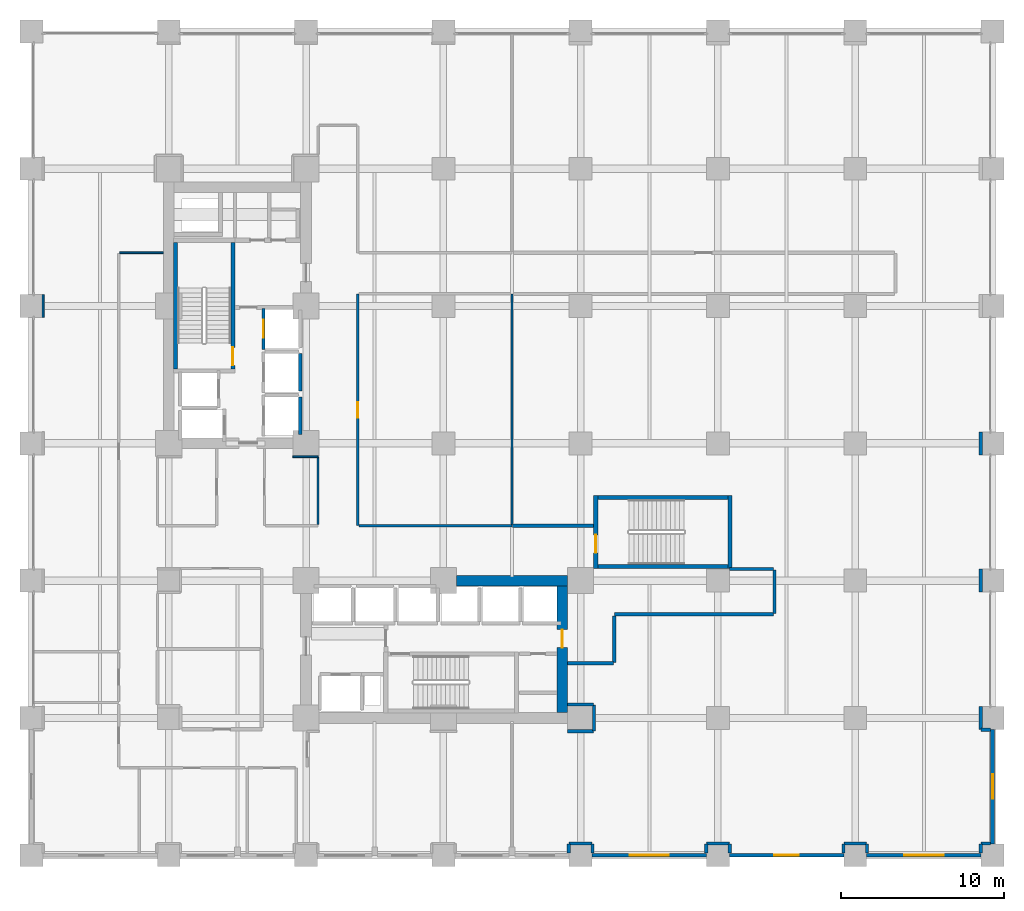
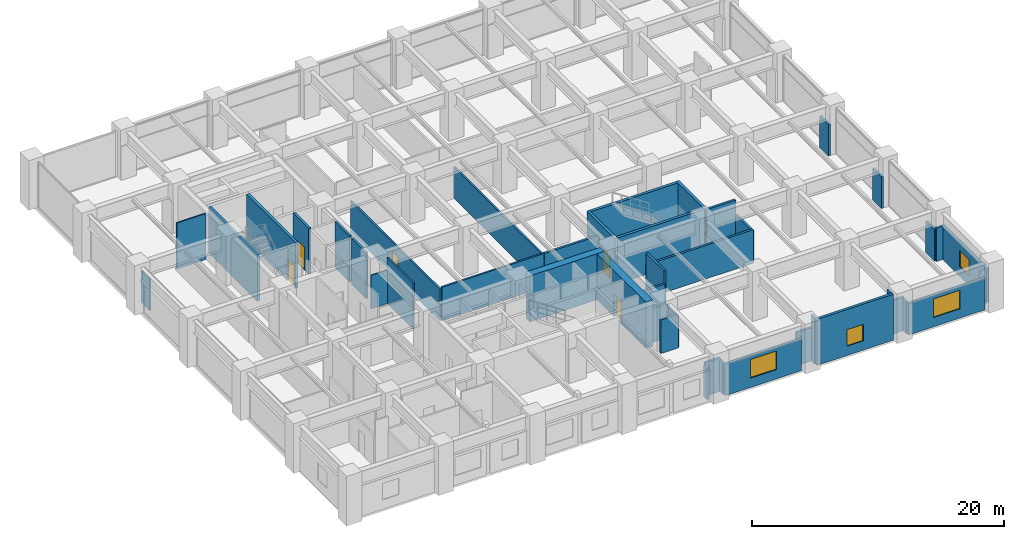
# One storey, part 21 of 24: 46 walls, 5 doors, 4 windows, 9 openings.
"""IFC4 building model written with IfcOpenShell, lengths in metres."""

from ifc_helpers import new_model, si_unit, direction, frame, frame_2d, origin, place, context, subcontext, project, spatial, rectangle, extrude, material, layer, layer_set, type_object, element, fill, save


model = new_model("IFC4")

# Units and contexts
model_context = context("Model", 3, precision=1e-05, world=origin(), true_north=direction((0.0, 1.0)))
body_context = subcontext(model_context, "Body", "Model", "MODEL_VIEW")
ifc_project = project(units=[si_unit("LENGTHUNIT", "METRE"), si_unit("AREAUNIT", "SQUARE_METRE"), si_unit("VOLUMEUNIT", "CUBIC_METRE"), si_unit("PLANEANGLEUNIT", "RADIAN"), si_unit("MASSUNIT", "GRAM", prefix="KILO")], contexts=[model_context])

# Site, building, storey
site_placement = place(None, origin())
site = spatial("IfcSite", under=ifc_project, at=site_placement, CompositionType="ELEMENT")
building_placement = place(site_placement, origin())
building = spatial("IfcBuilding", under=site, at=building_placement, Name="Nerrivon Quay Data Exchange", CompositionType="ELEMENT")
storey_placement = place(building_placement, frame((0.0, 0.0, 15.0)))
storey = spatial("IfcBuildingStorey", under=building, at=storey_placement, Name="L03", CompositionType="ELEMENT", Elevation=15.0)

# Wall, opening, window
ifc_material_1 = material(Name="Architectural terracotta precast concrete N50 (50 MPa)", Category="masonry")
ifc_layer_1 = layer(ifc_material_1, 0.239990234375)
ifc_layer_set_1 = layer_set([ifc_layer_1], Name="Architectural terracotta precast concrete N50 (50 MPa)")
wall_type_1 = type_object("IfcWallType", Name="EW-PREC-240", PredefinedType="STANDARD", material=ifc_layer_set_1)
wall_1_placement = place(storey_placement, frame((58.800048828125, 7.699951171875, 0.0), z_axis=(0.0, 0.0, 1.0), x_axis=(0.0, -1.0, 0.0)))
wall_1 = element("IfcWall", 1, at=wall_1_placement, inside=storey, type_object=wall_type_1, Name="L03 Podium Precast Spandrel Wall 19", PredefinedType="STANDARD", context=body_context, shape_type="SweptSolid", body=[
    extrude(rectangle(XDim=7.0, YDim=0.239990234375, at=frame_2d((3.5, 0.0))), origin(), (0.0, 0.0, 1.0), 3.25),
])
opening_1_placement = place(wall_1_placement, frame((2.75, 0.0, 0.89990234375)))
opening_1 = element("IfcOpeningElement", 2, at=opening_1_placement, cuts=wall_1, Name="Opening WN4", PredefinedType="OPENING", context=body_context, shape_type="SweptSolid", body=[
    extrude(rectangle(XDim=1.5, YDim=1.60009765625, at=frame_2d((0.75, 0.800048828125))), frame((0.0, 0.1298828125, 0.0), z_axis=(0.0, -1.0, 0.0), x_axis=(1.0, 0.0, 0.0)), (0.0, 0.0, 1.0), 0.260009765625),
])
ifc_material_2 = material(Name="Double-glazed low-E solar control glass", Category="glass")
window_type_1 = type_object("IfcWindowType", Name="WIN-W4-1500x1600", PartitioningType="SINGLE_PANEL", PredefinedType="WINDOW", material=ifc_material_2)
window_1_placement = place(opening_1_placement, origin())
window_1 = element("IfcWindow", 3, at=window_1_placement, inside=storey, type_object=window_type_1, Name="L03 Solar Facade Window 19", OverallHeight=1.60009765625, OverallWidth=1.5, PartitioningType="SINGLE_PANEL", PredefinedType="WINDOW", context=body_context, shape_type="SweptSolid", body=[
    extrude(rectangle(XDim=1.5, YDim=1.60009765625, at=frame_2d((0.75, 0.800048828125))), frame((0.0, 0.030029296875, 0.0), z_axis=(0.0, -1.0, 0.0), x_axis=(1.0, 0.0, 0.0)), (0.0, 0.0, 1.0), 0.06005859375),
])
fill(opening_1, window_1)

wall_2_placement = place(storey_placement, frame((58.10009765625, 0.0, 0.0), z_axis=(0.0, 0.0, 1.0), x_axis=(-1.0, 0.0, 0.0)))
wall_2 = element("IfcWall", 4, at=wall_2_placement, inside=storey, type_object=wall_type_1, Name="L03 Podium Precast Spandrel Wall 20", PredefinedType="STANDARD", context=body_context, shape_type="SweptSolid", body=[
    extrude(rectangle(XDim=7.0, YDim=0.239990234375, at=frame_2d((3.5, 0.0))), origin(), (0.0, 0.0, 1.0), 3.050048828125),
])
opening_2_placement = place(wall_2_placement, frame((2.300048828125, 0.0, 0.89990234375)))
opening_2 = element("IfcOpeningElement", 5, at=opening_2_placement, cuts=wall_2, Name="Opening WN1", PredefinedType="OPENING", context=body_context, shape_type="SweptSolid", body=[
    extrude(rectangle(XDim=2.39990234375, YDim=1.800048828125, at=frame_2d((1.199951171875, 0.89990234375))), frame((0.0, 0.1298828125, 0.0), z_axis=(0.0, -1.0, 0.0), x_axis=(1.0, 0.0, 0.0)), (0.0, 0.0, 1.0), 0.260009765625),
])
window_type_2 = type_object("IfcWindowType", Name="WIN-W1-2400x1800", PartitioningType="SINGLE_PANEL", PredefinedType="WINDOW", material=ifc_material_2)
window_2_placement = place(opening_2_placement, origin())
window_2 = element("IfcWindow", 6, at=window_2_placement, inside=storey, type_object=window_type_2, Name="L03 Solar Facade Window 20", OverallHeight=1.800048828125, OverallWidth=2.39990234375, PartitioningType="SINGLE_PANEL", PredefinedType="WINDOW", context=body_context, shape_type="SweptSolid", body=[
    extrude(rectangle(XDim=2.39990234375, YDim=1.800048828125, at=frame_2d((1.199951171875, 0.89990234375))), frame((0.0, 0.030029296875, 0.0), z_axis=(0.0, -1.0, 0.0), x_axis=(1.0, 0.0, 0.0)), (0.0, 0.0, 1.0), 0.06005859375),
])
fill(opening_2, window_2)

wall_3_placement = place(storey_placement, frame((49.699951171875, 0.0, 0.0), z_axis=(0.0, 0.0, 1.0), x_axis=(-1.0, 0.0, 0.0)))
wall_3 = element("IfcWall", 7, at=wall_3_placement, inside=storey, type_object=wall_type_1, Name="L03 Podium Precast Spandrel Wall 21", PredefinedType="STANDARD", context=body_context, shape_type="SweptSolid", body=[
    extrude(rectangle(XDim=7.0, YDim=0.239990234375, at=frame_2d((3.5, 0.0))), origin(), (0.0, 0.0, 1.0), 4.449951171875),
])
opening_3_placement = place(wall_3_placement, frame((2.75, 0.0, 0.89990234375)))
opening_3 = element("IfcOpeningElement", 8, at=opening_3_placement, cuts=wall_3, Name="Opening WN4", PredefinedType="OPENING", context=body_context, shape_type="SweptSolid", body=[
    extrude(rectangle(XDim=1.5, YDim=1.60009765625, at=frame_2d((0.75, 0.800048828125))), frame((0.0, 0.1298828125, 0.0), z_axis=(0.0, -1.0, 0.0), x_axis=(1.0, 0.0, 0.0)), (0.0, 0.0, 1.0), 0.260009765625),
])
window_3_placement = place(opening_3_placement, origin())
window_3 = element("IfcWindow", 9, at=window_3_placement, inside=storey, type_object=window_type_1, Name="L03 Solar Facade Window 21", OverallHeight=1.60009765625, OverallWidth=1.5, PartitioningType="SINGLE_PANEL", PredefinedType="WINDOW", context=body_context, shape_type="SweptSolid", body=[
    extrude(rectangle(XDim=1.5, YDim=1.60009765625, at=frame_2d((0.75, 0.800048828125))), frame((0.0, 0.030029296875, 0.0), z_axis=(0.0, -1.0, 0.0), x_axis=(1.0, 0.0, 0.0)), (0.0, 0.0, 1.0), 0.06005859375),
])
fill(opening_3, window_3)

wall_4_placement = place(storey_placement, frame((41.300048828125, 0.0, 0.0), z_axis=(0.0, 0.0, 1.0), x_axis=(-1.0, 0.0, 0.0)))
wall_4 = element("IfcWall", 10, at=wall_4_placement, inside=storey, type_object=wall_type_1, Name="L03 Podium Precast Spandrel Wall 22", PredefinedType="STANDARD", context=body_context, shape_type="SweptSolid", body=[
    extrude(rectangle(XDim=7.0, YDim=0.239990234375, at=frame_2d((3.5, 0.0))), origin(), (0.0, 0.0, 1.0), 3.050048828125),
])
opening_4_placement = place(wall_4_placement, frame((2.300048828125, 0.0, 0.89990234375)))
opening_4 = element("IfcOpeningElement", 11, at=opening_4_placement, cuts=wall_4, Name="Opening WN1", PredefinedType="OPENING", context=body_context, shape_type="SweptSolid", body=[
    extrude(rectangle(XDim=2.39990234375, YDim=1.800048828125, at=frame_2d((1.199951171875, 0.89990234375))), frame((0.0, 0.1298828125, 0.0), z_axis=(0.0, -1.0, 0.0), x_axis=(1.0, 0.0, 0.0)), (0.0, 0.0, 1.0), 0.260009765625),
])
window_4_placement = place(opening_4_placement, origin())
window_4 = element("IfcWindow", 12, at=window_4_placement, inside=storey, type_object=window_type_2, Name="L03 Solar Facade Window 22", OverallHeight=1.800048828125, OverallWidth=2.39990234375, PartitioningType="SINGLE_PANEL", PredefinedType="WINDOW", context=body_context, shape_type="SweptSolid", body=[
    extrude(rectangle(XDim=2.39990234375, YDim=1.800048828125, at=frame_2d((1.199951171875, 0.89990234375))), frame((0.0, 0.030029296875, 0.0), z_axis=(0.0, -1.0, 0.0), x_axis=(1.0, 0.0, 0.0)), (0.0, 0.0, 1.0), 0.06005859375),
])
fill(opening_4, window_4)

# Wall, opening, door
ifc_material_3 = material(Name="Concrete N80 (80 MPa)", Category="concrete")
ifc_layer_2 = layer(ifc_material_3, 0.64990234375)
ifc_layer_set_2 = layer_set([ifc_layer_2], Name="Concrete N80 (80 MPa)")
wall_type_2 = type_object("IfcWallType", Name="WALL-CW-850", PredefinedType="SHEAR", material=ifc_layer_set_2)
wall_5_placement = place(storey_placement, frame((32.47509765625, 8.72509765625, 0.0), z_axis=(0.0, 0.0, 1.0), x_axis=(0.0, 1.0, 0.0)))
wall_5 = element("IfcWall", 13, at=wall_5_placement, inside=storey, type_object=wall_type_2, Name="L03 East Split-Core Shear Wall ECW-E1", PredefinedType="SHEAR", context=body_context, shape_type="SweptSolid", body=[
    extrude(rectangle(XDim=7.75, YDim=0.64990234375, at=frame_2d((3.875, 0.0))), origin(), (0.0, 0.0, 1.0), 4.449951171875),
])
opening_5_placement = place(wall_5_placement, frame((3.97509765625, 0.0, 0.0)))
opening_5 = element("IfcOpeningElement", 14, at=opening_5_placement, cuts=wall_5, Name="Opening FD-120", PredefinedType="OPENING", context=body_context, shape_type="SweptSolid", body=[
    extrude(rectangle(XDim=1.10009765625, YDim=2.14990234375, at=frame_2d((0.550048828125, 1.074951171875))), frame((0.0, 0.3349609375, 0.0), z_axis=(0.0, -1.0, 0.0), x_axis=(1.0, 0.0, 0.0)), (0.0, 0.0, 1.0), 0.669921875),
])
ifc_material_4 = material(Name="Powder-coated galvanized steel sheet", Category="steel")
door_type_1 = type_object("IfcDoorType", Name="DR-FD120-1100", OperationType="NOTDEFINED", PredefinedType="DOOR", material=ifc_material_4)
door_1_placement = place(opening_5_placement, origin())
door_1 = element("IfcDoor", 15, at=door_1_placement, inside=storey, type_object=door_type_1, Name="L03 East Core Lobby Fire Door", OperationType="SINGLE_SWING_RIGHT", OverallHeight=2.14990234375, OverallWidth=1.10009765625, PredefinedType="DOOR", context=body_context, shape_type="SweptSolid", body=[
    extrude(rectangle(XDim=1.10009765625, YDim=2.14990234375, at=frame_2d((0.550048828125, 1.074951171875))), frame((0.0, 0.02490234375, 0.0), z_axis=(0.0, -1.0, 0.0), x_axis=(1.0, 0.0, 0.0)), (0.0, 0.0, 1.0), 0.050048828125),
])
fill(opening_5, door_1)

# Walls
wall_6_placement = place(storey_placement, frame((26.0, 16.800048828125, 0.0), z_axis=(0.0, 0.0, 1.0), x_axis=(1.0, 0.0, 0.0)))
element("IfcWall", 16, at=wall_6_placement, inside=storey, type_object=wall_type_2, Name="L03 East Split-Core Shear Wall ECW-N1", PredefinedType="SHEAR", context=body_context, shape_type="SweptSolid", body=[
    extrude(rectangle(XDim=6.800048828125, YDim=0.64990234375, at=frame_2d((3.39990234375, 0.0))), origin(), (0.0, 0.0, 1.0), 4.449951171875),
])
ifc_material_5 = material(Name="Gypsum plasterboard on cold-formed framing", Category="gypsum")
ifc_layer_3 = layer(ifc_material_5, 0.199951171875)
ifc_layer_set_3 = layer_set([ifc_layer_3], Name="Gypsum plasterboard on cold-formed framing")
wall_type_3 = type_object("IfcWallType", Name="WALL-FW-200", PredefinedType="PARTITIONING", material=ifc_layer_set_3)
for number, where, z_axis, x_axis, name in (
    (17, (16.449951171875, 25.75, 0.0), (0.0, 0.0, 1.0), (0.0, 1.0, 0.0), "L03 Lift Shaft Wall PL1 EAST"),
    (18, (16.449951171875, 28.39990234375, 0.0), (0.0, 0.0, 1.0), (0.0, 1.0, 0.0), "L03 Lift Shaft Wall PL2 EAST"),
):
    element("IfcWall", number, at=place(storey_placement, frame(where, z_axis=z_axis, x_axis=x_axis)), inside=storey, type_object=wall_type_3, Name=name, PredefinedType="PARTITIONING", context=body_context, shape_type="SweptSolid", body=[
        extrude(rectangle(XDim=2.300048828125, YDim=0.199951171875, at=frame_2d((1.14990234375, 0.0))), origin(), (0.0, 0.0, 1.0), 4.449951171875),
    ])

# Wall, opening, door
wall_7_placement = place(storey_placement, frame((14.199951171875, 30.949951171875, 0.0), z_axis=(0.0, 0.0, 1.0), x_axis=(0.0, 1.0, 0.0)))
wall_7 = element("IfcWall", 19, at=wall_7_placement, inside=storey, type_object=wall_type_3, Name="L03 Lift Front Wall PL3", PredefinedType="PARTITIONING", context=body_context, shape_type="SweptSolid", body=[
    extrude(rectangle(XDim=2.5, YDim=0.199951171875, at=frame_2d((1.25, 0.0))), origin(), (0.0, 0.0, 1.0), 4.449951171875),
])
opening_6_placement = place(wall_7_placement, frame((0.699951171875, 0.0, 0.0)))
opening_6 = element("IfcOpeningElement", 20, at=opening_6_placement, cuts=wall_7, Name="Opening LD-120", PredefinedType="OPENING", context=body_context, shape_type="SweptSolid", body=[
    extrude(rectangle(XDim=1.10009765625, YDim=2.199951171875, at=frame_2d((0.550048828125, 1.10009765625))), frame((0.0, 0.10986328125, 0.0), z_axis=(0.0, -1.0, 0.0), x_axis=(1.0, 0.0, 0.0)), (0.0, 0.0, 1.0), 0.219970703125),
])
door_type_2 = type_object("IfcDoorType", Name="DR-LIFT-LD120", OperationType="DOUBLE_DOOR_SLIDING", PredefinedType="DOOR", material=ifc_material_4)
door_2_placement = place(opening_6_placement, origin())
door_2 = element("IfcDoor", 21, at=door_2_placement, inside=storey, type_object=door_type_2, Name="L03 Lift Landing Sliding Door PL3", OperationType="DOUBLE_DOOR_SLIDING", OverallHeight=2.199951171875, OverallWidth=1.10009765625, PredefinedType="DOOR", context=body_context, shape_type="SweptSolid", body=[
    extrude(rectangle(XDim=1.10009765625, YDim=2.199951171875, at=frame_2d((0.550048828125, 1.10009765625))), frame((0.0, 0.02490234375, 0.0), z_axis=(0.0, -1.0, 0.0), x_axis=(1.0, 0.0, 0.0)), (0.0, 0.0, 1.0), 0.050048828125),
])
fill(opening_6, door_2)

# Walls
wall_8_placement = place(storey_placement, frame((32.8798828125, 0.1240234375, 0.0), z_axis=(0.0, 0.0, 1.0), x_axis=(0.0, 1.0, 0.0)))
element("IfcWall", 22, at=wall_8_placement, inside=storey, type_object=wall_type_3, Name="L03 Partition Colocation Data Workspace 1 10", PredefinedType="PARTITIONING", context=body_context, shape_type="SweptSolid", body=[
    extrude(rectangle(XDim=0.575927734375, YDim=0.199951171875, at=frame_2d((0.2880859375, 0.0))), origin(), (0.0, 0.0, 1.0), 3.050048828125),
])
wall_9_placement = place(storey_placement, frame((32.89990234375, 0.719970703125, 0.0), z_axis=(0.0, 0.0, 1.0), x_axis=(1.0, 0.0, 0.0)))
element("IfcWall", 23, at=wall_9_placement, inside=storey, type_object=wall_type_3, Name="L03 Partition Colocation Data Workspace 1 10", PredefinedType="PARTITIONING", context=body_context, shape_type="SweptSolid", body=[
    extrude(rectangle(XDim=1.400146484375, YDim=0.199951171875, at=frame_2d((0.7001953125, 0.0))), origin(), (0.0, 0.0, 1.0), 3.25),
])
for number, where, z_axis, x_axis, name in (
    (24, (34.320068359375, 0.699951171875, 0.0), (0.0, 0.0, 1.0), (0.0, -1.0, 0.0), "L03 Partition Colocation Data Workspace 1 10"),
    (25, (41.280029296875, 0.1240234375, 0.0), (0.0, 0.0, 1.0), (0.0, 1.0, 0.0), "L03 Partition Colocation Data Workspace 1 10"),
):
    element("IfcWall", number, at=place(storey_placement, frame(where, z_axis=z_axis, x_axis=x_axis)), inside=storey, type_object=wall_type_3, Name=name, PredefinedType="PARTITIONING", context=body_context, shape_type="SweptSolid", body=[
        extrude(rectangle(XDim=0.575927734375, YDim=0.199951171875, at=frame_2d((0.2880859375, 0.0))), origin(), (0.0, 0.0, 1.0), 3.050048828125),
    ])
wall_10_placement = place(storey_placement, frame((41.300048828125, 0.719970703125, 0.0), z_axis=(0.0, 0.0, 1.0), x_axis=(1.0, 0.0, 0.0)))
element("IfcWall", 26, at=wall_10_placement, inside=storey, type_object=wall_type_3, Name="L03 Partition Colocation Data Workspace 1 10", PredefinedType="PARTITIONING", context=body_context, shape_type="SweptSolid", body=[
    extrude(rectangle(XDim=1.39990234375, YDim=0.199951171875, at=frame_2d((0.699951171875, 0.0))), origin(), (0.0, 0.0, 1.0), 3.25),
])
for number, where, z_axis, x_axis, name in (
    (27, (42.719970703125, 0.699951171875, 0.0), (0.0, 0.0, 1.0), (0.0, -1.0, 0.0), "L03 Partition Colocation Data Workspace 1 10"),
    (28, (49.679931640625, 0.1240234375, 0.0), (0.0, 0.0, 1.0), (0.0, 1.0, 0.0), "L03 Partition Colocation Data Workspace 1 10"),
):
    element("IfcWall", number, at=place(storey_placement, frame(where, z_axis=z_axis, x_axis=x_axis)), inside=storey, type_object=wall_type_3, Name=name, PredefinedType="PARTITIONING", context=body_context, shape_type="SweptSolid", body=[
        extrude(rectangle(XDim=0.575927734375, YDim=0.199951171875, at=frame_2d((0.2880859375, 0.0))), origin(), (0.0, 0.0, 1.0), 4.449951171875),
    ])
wall_11_placement = place(storey_placement, frame((49.699951171875, 0.719970703125, 0.0), z_axis=(0.0, 0.0, 1.0), x_axis=(1.0, 0.0, 0.0)))
element("IfcWall", 29, at=wall_11_placement, inside=storey, type_object=wall_type_3, Name="L03 Partition Colocation Data Workspace 1 10", PredefinedType="PARTITIONING", context=body_context, shape_type="SweptSolid", body=[
    extrude(rectangle(XDim=1.400146484375, YDim=0.199951171875, at=frame_2d((0.7001953125, 0.0))), origin(), (0.0, 0.0, 1.0), 3.25),
])
for number, where, z_axis, x_axis, name in (
    (30, (51.1201171875, 0.699951171875, 0.0), (0.0, 0.0, 1.0), (0.0, -1.0, 0.0), "L03 Partition Colocation Data Workspace 1 10"),
    (31, (58.080078125, 0.1240234375, 0.0), (0.0, 0.0, 1.0), (0.0, 1.0, 0.0), "L03 Partition Colocation Data Workspace 1 10"),
):
    element("IfcWall", number, at=place(storey_placement, frame(where, z_axis=z_axis, x_axis=x_axis)), inside=storey, type_object=wall_type_3, Name=name, PredefinedType="PARTITIONING", context=body_context, shape_type="SweptSolid", body=[
        extrude(rectangle(XDim=0.575927734375, YDim=0.199951171875, at=frame_2d((0.2880859375, 0.0))), origin(), (0.0, 0.0, 1.0), 3.050048828125),
    ])
for number, where, z_axis, x_axis, name in (
    (32, (58.10009765625, 0.719970703125, 0.0), (0.0, 0.0, 1.0), (1.0, 0.0, 0.0), "L03 Partition Colocation Data Workspace 1 10"),
    (33, (58.676025390625, 7.679931640625, 0.0), (0.0, 0.0, 1.0), (-1.0, 0.0, 0.0), "L03 Partition Colocation Data Workspace 1 10"),
):
    element("IfcWall", number, at=place(storey_placement, frame(where, z_axis=z_axis, x_axis=x_axis)), inside=storey, type_object=wall_type_3, Name=name, PredefinedType="PARTITIONING", context=body_context, shape_type="SweptSolid", body=[
        extrude(rectangle(XDim=0.575927734375, YDim=0.199951171875, at=frame_2d((0.2880859375, 0.0))), origin(), (0.0, 0.0, 1.0), 3.25),
    ])
wall_12_placement = place(storey_placement, frame((58.080078125, 7.699951171875, 0.0), z_axis=(0.0, 0.0, 1.0), x_axis=(0.0, 1.0, 0.0)))
element("IfcWall", 34, at=wall_12_placement, inside=storey, type_object=wall_type_3, Name="L03 Partition Colocation Data Workspace 1 10", PredefinedType="PARTITIONING", context=body_context, shape_type="SweptSolid", body=[
    extrude(rectangle(XDim=1.400146484375, YDim=0.199951171875, at=frame_2d((0.7001953125, 0.0))), origin(), (0.0, 0.0, 1.0), 3.050048828125),
])
for number, where, z_axis, x_axis, name in (
    (35, (58.080078125, 16.10009765625, 0.0), (0.0, 0.0, 1.0), (0.0, 1.0, 0.0), "L03 Partition Colocation Data Workspace 1 10"),
    (36, (58.080078125, 24.5, 0.0), (0.0, 0.0, 1.0), (0.0, 1.0, 0.0), "L03 Partition Colocation Data Workspace 1 10"),
):
    element("IfcWall", number, at=place(storey_placement, frame(where, z_axis=z_axis, x_axis=x_axis)), inside=storey, type_object=wall_type_3, Name=name, PredefinedType="PARTITIONING", context=body_context, shape_type="SweptSolid", body=[
        extrude(rectangle(XDim=1.39990234375, YDim=0.199951171875, at=frame_2d((0.699951171875, 0.0))), origin(), (0.0, 0.0, 1.0), 3.050048828125),
    ])
wall_13_placement = place(storey_placement, frame((29.419921875, 20.159912109375, 0.0), z_axis=(0.0, 0.0, 1.0), x_axis=(1.0, 0.0, 0.0)))
element("IfcWall", 37, at=wall_13_placement, inside=storey, type_object=wall_type_3, Name="L03 Partition Colocation Data Workspace 1 10", PredefinedType="PARTITIONING", context=body_context, shape_type="SweptSolid", body=[
    extrude(rectangle(XDim=4.97607421875, YDim=0.199951171875, at=frame_2d((2.488037109375, 0.0))), origin(), (0.0, 0.0, 1.0), 3.25),
])
wall_14_placement = place(storey_placement, frame((42.71728515625, 17.510009765625, 0.0), z_axis=(0.0, 0.0, 1.0), x_axis=(1.0, 0.0, 0.0)))
element("IfcWall", 38, at=wall_14_placement, inside=storey, type_object=wall_type_3, Name="L03 Partition Colocation Data Workspace 1 10", PredefinedType="PARTITIONING", context=body_context, shape_type="SweptSolid", body=[
    extrude(rectangle(XDim=2.6826171875, YDim=0.199951171875, at=frame_2d((1.34130859375, 0.0))), origin(), (0.0, 0.0, 1.0), 4.449951171875),
])
wall_15_placement = place(storey_placement, frame((45.4599609375, 17.449951171875, 0.0), z_axis=(0.0, 0.0, 1.0), x_axis=(0.0, -1.0, 0.0)))
element("IfcWall", 39, at=wall_15_placement, inside=storey, type_object=wall_type_3, Name="L03 Partition Colocation Data Workspace 1 10", PredefinedType="PARTITIONING", context=body_context, shape_type="SweptSolid", body=[
    extrude(rectangle(XDim=2.64990234375, YDim=0.199951171875, at=frame_2d((1.324951171875, 0.0))), origin(), (0.0, 0.0, 1.0), 3.050048828125),
])
wall_16_placement = place(storey_placement, frame((45.39990234375, 14.739990234375, 0.0), z_axis=(0.0, 0.0, 1.0), x_axis=(-1.0, 0.0, 0.0)))
element("IfcWall", 40, at=wall_16_placement, inside=storey, type_object=wall_type_3, Name="L03 Partition Colocation Data Workspace 1 10", PredefinedType="PARTITIONING", context=body_context, shape_type="SweptSolid", body=[
    extrude(rectangle(XDim=9.739990234375, YDim=0.199951171875, at=frame_2d((4.8701171875, 0.0))), origin(), (0.0, 0.0, 1.0), 3.25),
])
wall_17_placement = place(storey_placement, frame((35.659912109375, 14.635986328125, 0.0), z_axis=(0.0, 0.0, 1.0), x_axis=(0.0, -1.0, 0.0)))
element("IfcWall", 41, at=wall_17_placement, inside=storey, type_object=wall_type_3, Name="L03 Partition Colocation Data Workspace 1 10", PredefinedType="PARTITIONING", context=body_context, shape_type="SweptSolid", body=[
    extrude(rectangle(XDim=2.8359375, YDim=0.199951171875, at=frame_2d((1.41796875, 0.0))), origin(), (0.0, 0.0, 1.0), 4.449951171875),
])
wall_18_placement = place(storey_placement, frame((35.60009765625, 11.739990234375, 0.0), z_axis=(0.0, 0.0, 1.0), x_axis=(-1.0, 0.0, 0.0)))
element("IfcWall", 42, at=wall_18_placement, inside=storey, type_object=wall_type_3, Name="L03 Partition Colocation Data Workspace 1 10", PredefinedType="PARTITIONING", context=body_context, shape_type="SweptSolid", body=[
    extrude(rectangle(XDim=2.796142578125, YDim=0.199951171875, at=frame_2d((1.39794921875, 0.0))), origin(), (0.0, 0.0, 1.0), 3.25),
])
wall_19_placement = place(storey_placement, frame((32.803955078125, 9.219970703125, 0.0), z_axis=(0.0, 0.0, 1.0), x_axis=(1.0, 0.0, 0.0)))
element("IfcWall", 43, at=wall_19_placement, inside=storey, type_object=wall_type_3, Name="L03 Partition Colocation Data Workspace 1 10", PredefinedType="PARTITIONING", context=body_context, shape_type="SweptSolid", body=[
    extrude(rectangle(XDim=1.595947265625, YDim=0.199951171875, at=frame_2d((0.7978515625, 0.0))), origin(), (0.0, 0.0, 1.0), 3.25),
])
wall_20_placement = place(storey_placement, frame((34.419921875, 9.199951171875, 0.0), z_axis=(0.0, 0.0, 1.0), x_axis=(0.0, -1.0, 0.0)))
element("IfcWall", 44, at=wall_20_placement, inside=storey, type_object=wall_type_3, Name="L03 Partition Colocation Data Workspace 1 10", PredefinedType="PARTITIONING", context=body_context, shape_type="SweptSolid", body=[
    extrude(rectangle(XDim=1.599853515625, YDim=0.199951171875, at=frame_2d((0.7998046875, 0.0))), origin(), (0.0, 0.0, 1.0), 3.050048828125),
])
wall_21_placement = place(storey_placement, frame((34.39990234375, 7.580078125, 0.0), z_axis=(0.0, 0.0, 1.0), x_axis=(-0.99999989597, 0.000456134969, 0.0)))
element("IfcWall", 45, at=wall_21_placement, inside=storey, type_object=wall_type_3, Name="L03 Partition Colocation Data Workspace 1 10", PredefinedType="PARTITIONING", context=body_context, shape_type="SweptSolid", body=[
    extrude(rectangle(XDim=1.605712890625, YDim=0.199951171875, at=frame_2d((0.802734375, 0.0))), origin(), (0.0, 0.0, 1.0), 3.25),
])
ifc_layer_4 = layer(ifc_material_5, 0.1201171875)
ifc_layer_set_4 = layer_set([ifc_layer_4], Name="Gypsum plasterboard on cold-formed framing")
wall_type_4 = type_object("IfcWallType", Name="WALL-PT-120", PredefinedType="PARTITIONING", material=ifc_layer_set_4)
wall_22_placement = place(storey_placement, frame((17.5400390625, 24.3798828125, 0.0), z_axis=(0.0, 0.0, 1.0), x_axis=(-0.99999980047, 0.000631711813, 0.0)))
element("IfcWall", 46, at=wall_22_placement, inside=storey, type_object=wall_type_4, Name="L03 Partition Shared Breakout Kitchenette", PredefinedType="PARTITIONING", context=body_context, shape_type="SweptSolid", body=[
    extrude(rectangle(XDim=1.5458984375, YDim=0.1201171875, at=frame_2d((0.77294921875, 0.0))), origin(), (0.0, 0.0, 1.0), 3.25),
])
wall_23_placement = place(storey_placement, frame((0.719970703125, 34.300048828125, 0.0), z_axis=(0.0, 0.0, 1.0), x_axis=(0.0, -1.0, 0.0)))
element("IfcWall", 47, at=wall_23_placement, inside=storey, type_object=wall_type_4, Name="L03 Partition Network Operations Office 1 9", PredefinedType="PARTITIONING", context=body_context, shape_type="SweptSolid", body=[
    extrude(rectangle(XDim=1.400146484375, YDim=0.1201171875, at=frame_2d((0.7001953125, 0.0))), origin(), (0.0, 0.0, 1.0), 3.050048828125),
])
wall_24_placement = place(storey_placement, frame((5.39990234375, 36.860107421875, 0.0), z_axis=(0.0, 0.0, 1.0), x_axis=(1.0, 0.0, 0.0)))
element("IfcWall", 48, at=wall_24_placement, inside=storey, type_object=wall_type_4, Name="L03 Partition Network Operations Office 1 9", PredefinedType="PARTITIONING", context=body_context, shape_type="SweptSolid", body=[
    extrude(rectangle(XDim=2.671142578125, YDim=0.1201171875, at=frame_2d((1.33544921875, 0.0))), origin(), (0.0, 0.0, 1.0), 4.449951171875),
])
ifc_layer_5 = layer(ifc_material_5, 0.135009765625)
ifc_layer_set_5 = layer_set([ifc_layer_5], Name="Gypsum plasterboard on cold-formed framing")
wall_type_5 = type_object("IfcWallType", Name="WALL-PT-135", PredefinedType="PARTITIONING", material=ifc_layer_set_5)
wall_25_placement = place(storey_placement, frame((17.5400390625, 20.2314453125, 0.0), z_axis=(0.0, 0.0, 1.0), x_axis=(0.0, 1.0, 0.0)))
element("IfcWall", 49, at=wall_25_placement, inside=storey, type_object=wall_type_5, Name="L03 Partition Shared Breakout Kitchenette", PredefinedType="PARTITIONING", context=body_context, shape_type="SweptSolid", body=[
    extrude(rectangle(XDim=4.1484375, YDim=0.135009765625, at=frame_2d((2.07421875, 0.0))), origin(), (0.0, 0.0, 1.0), 4.449951171875),
])

# Wall, opening, door
ifc_layer_6 = layer(ifc_material_5, 0.14990234375)
ifc_layer_set_6 = layer_set([ifc_layer_6], Name="Gypsum plasterboard on cold-formed framing")
wall_type_6 = type_object("IfcWallType", Name="WALL-PT-150", PredefinedType="PARTITIONING", material=ifc_layer_set_6)
wall_26_placement = place(storey_placement, frame((19.9599609375, 34.340087890625, 0.0), z_axis=(0.0, 0.0, 1.0), x_axis=(0.0, -1.0, 0.0)))
wall_26 = element("IfcWall", 50, at=wall_26_placement, inside=storey, type_object=wall_type_6, Name="L03 Partition Shared Breakout Kitchenette 8", PredefinedType="PARTITIONING", context=body_context, shape_type="SweptSolid", body=[
    extrude(rectangle(XDim=14.18017578125, YDim=0.14990234375, at=frame_2d((7.090087890625, 0.0))), origin(), (0.0, 0.0, 1.0), 3.050048828125),
])
opening_7_placement = place(wall_26_placement, frame((6.614990234375, 0.0, 0.0)))
opening_7 = element("IfcOpeningElement", 51, at=opening_7_placement, cuts=wall_26, Name="Opening D-01", PredefinedType="OPENING", context=body_context, shape_type="SweptSolid", body=[
    extrude(rectangle(XDim=0.949951171875, YDim=2.14990234375, at=frame_2d((0.47509765625, 1.074951171875))), frame((0.0, 0.0849609375, 0.0), z_axis=(0.0, -1.0, 0.0), x_axis=(1.0, 0.0, 0.0)), (0.0, 0.0, 1.0), 0.169921875),
])
ifc_material_6 = material(Name="Engineered hardwood timber", Category="wood")
door_type_3 = type_object("IfcDoorType", Name="DR-INT-950", OperationType="NOTDEFINED", PredefinedType="DOOR", material=ifc_material_6)
door_3_placement = place(opening_7_placement, origin())
door_3 = element("IfcDoor", 52, at=door_3_placement, inside=storey, type_object=door_type_3, Name="L03 Door Shared Breakout Kitchenette 8", OperationType="SINGLE_SWING_LEFT", OverallHeight=2.14990234375, OverallWidth=0.949951171875, PredefinedType="DOOR", context=body_context, shape_type="SweptSolid", body=[
    extrude(rectangle(XDim=0.949951171875, YDim=2.14990234375, at=frame_2d((0.47509765625, 1.074951171875))), frame((0.0, 0.02490234375, 0.0), z_axis=(0.0, -1.0, 0.0), x_axis=(1.0, 0.0, 0.0)), (0.0, 0.0, 1.0), 0.050048828125),
])
fill(opening_7, door_3)

# Walls
wall_27_placement = place(storey_placement, frame((20.0390625, 20.159912109375, 0.0), z_axis=(0.0, 0.0, 1.0), x_axis=(1.0, 0.0, 0.0)))
element("IfcWall", 53, at=wall_27_placement, inside=storey, type_object=wall_type_6, Name="L03 Partition Shared Breakout Kitchenette 8", PredefinedType="PARTITIONING", context=body_context, shape_type="SweptSolid", body=[
    extrude(rectangle(XDim=9.36083984375, YDim=0.14990234375, at=frame_2d((4.680419921875, 0.0))), origin(), (0.0, 0.0, 1.0), 3.25),
])
wall_28_placement = place(storey_placement, frame((29.39990234375, 20.239013671875, 0.0), z_axis=(0.0, 0.0, 1.0), x_axis=(0.0, 1.0, 0.0)))
element("IfcWall", 54, at=wall_28_placement, inside=storey, type_object=wall_type_6, Name="L03 Partition Shared Breakout Kitchenette 8", PredefinedType="PARTITIONING", context=body_context, shape_type="SweptSolid", body=[
    extrude(rectangle(XDim=14.10107421875, YDim=0.14990234375, at=frame_2d((7.050537109375, 0.0))), origin(), (0.0, 0.0, 1.0), 3.050048828125),
])

# Wall, opening, door
ifc_material_7 = material(Name="Concrete N50 (50 MPa)", Category="concrete")
ifc_layer_7 = layer(ifc_material_7, 0.25)
ifc_layer_set_7 = layer_set([ifc_layer_7], Name="Concrete N50 (50 MPa)")
wall_type_7 = type_object("IfcWallType", Name="WALL-SW-250", PredefinedType="SHEAR", material=ifc_layer_set_7)
wall_29_placement = place(storey_placement, frame((12.324951171875, 29.75, 0.0), z_axis=(0.0, 0.0, 1.0), x_axis=(0.0, 1.0, 0.0)))
wall_29 = element("IfcWall", 55, at=wall_29_placement, inside=storey, type_object=wall_type_7, Name="L03 ST01 Structural Stair Core Wall LEFT", PredefinedType="SHEAR", context=body_context, shape_type="SweptSolid", body=[
    extrude(rectangle(XDim=7.75, YDim=0.25, at=frame_2d((3.875, 0.0))), origin(), (0.0, 0.0, 1.0), 4.449951171875),
])
opening_8_placement = place(wall_29_placement, frame((0.219970703125, 0.0, 0.0)))
opening_8 = element("IfcOpeningElement", 56, at=opening_8_placement, cuts=wall_29, Name="Opening FD-120", PredefinedType="OPENING", context=body_context, shape_type="SweptSolid", body=[
    extrude(rectangle(XDim=1.10009765625, YDim=2.14990234375, at=frame_2d((0.550048828125, 1.074951171875))), frame((0.0, 0.135009765625, 0.0), z_axis=(0.0, -1.0, 0.0), x_axis=(1.0, 0.0, 0.0)), (0.0, 0.0, 1.0), 0.27001953125),
])
door_4_placement = place(opening_8_placement, origin())
door_4 = element("IfcDoor", 57, at=door_4_placement, inside=storey, type_object=door_type_1, Name="L03 Protected Stair Door ST01", OperationType="SINGLE_SWING_RIGHT", OverallHeight=2.14990234375, OverallWidth=1.10009765625, PredefinedType="DOOR", context=body_context, shape_type="SweptSolid", body=[
    extrude(rectangle(XDim=1.10009765625, YDim=2.14990234375, at=frame_2d((0.550048828125, 1.074951171875))), frame((0.0, 0.02490234375, 0.0), z_axis=(0.0, -1.0, 0.0), x_axis=(1.0, 0.0, 0.0)), (0.0, 0.0, 1.0), 0.050048828125),
])
fill(opening_8, door_4)

# Wall
wall_30_placement = place(storey_placement, frame((8.824951171875, 29.75, 0.0), z_axis=(0.0, 0.0, 1.0), x_axis=(0.0, 1.0, 0.0)))
element("IfcWall", 58, at=wall_30_placement, inside=storey, type_object=wall_type_7, Name="L03 ST01 Structural Stair Core Wall RIGHT", PredefinedType="SHEAR", context=body_context, shape_type="SweptSolid", body=[
    extrude(rectangle(XDim=7.75, YDim=0.25, at=frame_2d((3.875, 0.0))), origin(), (0.0, 0.0, 1.0), 4.449951171875),
])

# Wall, opening, door
wall_31_placement = place(storey_placement, frame((34.52490234375, 17.550048828125, 0.0), z_axis=(0.0, 0.0, 1.0), x_axis=(0.0, 1.0, 0.0)))
wall_31 = element("IfcWall", 59, at=wall_31_placement, inside=storey, type_object=wall_type_7, Name="L03 ST03 Structural Stair Core Wall NEAR", PredefinedType="SHEAR", context=body_context, shape_type="SweptSolid", body=[
    extrude(rectangle(XDim=4.449951171875, YDim=0.25, at=frame_2d((2.22509765625, 0.0))), origin(), (0.0, 0.0, 1.0), 4.449951171875),
])
opening_9_placement = place(wall_31_placement, frame((0.949951171875, 0.0, 0.0)))
opening_9 = element("IfcOpeningElement", 60, at=opening_9_placement, cuts=wall_31, Name="Opening FD-120", PredefinedType="OPENING", context=body_context, shape_type="SweptSolid", body=[
    extrude(rectangle(XDim=1.10009765625, YDim=2.14990234375, at=frame_2d((0.550048828125, 1.074951171875))), frame((0.0, 0.135009765625, 0.0), z_axis=(0.0, -1.0, 0.0), x_axis=(1.0, 0.0, 0.0)), (0.0, 0.0, 1.0), 0.27001953125),
])
door_5_placement = place(opening_9_placement, origin())
door_5 = element("IfcDoor", 61, at=door_5_placement, inside=storey, type_object=door_type_1, Name="L03 Protected Stair Door ST03", OperationType="SINGLE_SWING_RIGHT", OverallHeight=2.14990234375, OverallWidth=1.10009765625, PredefinedType="DOOR", context=body_context, shape_type="SweptSolid", body=[
    extrude(rectangle(XDim=1.10009765625, YDim=2.14990234375, at=frame_2d((0.550048828125, 1.074951171875))), frame((0.0, 0.02490234375, 0.0), z_axis=(0.0, -1.0, 0.0), x_axis=(1.0, 0.0, 0.0)), (0.0, 0.0, 1.0), 0.050048828125),
])
fill(opening_9, door_5)

# Walls
wall_32_placement = place(storey_placement, frame((42.72509765625, 17.550048828125, 0.0), z_axis=(0.0, 0.0, 1.0), x_axis=(0.0, 1.0, 0.0)))
element("IfcWall", 62, at=wall_32_placement, inside=storey, type_object=wall_type_7, Name="L03 ST03 Structural Stair Core Wall FAR", PredefinedType="SHEAR", context=body_context, shape_type="SweptSolid", body=[
    extrude(rectangle(XDim=4.449951171875, YDim=0.25, at=frame_2d((2.22509765625, 0.0))), origin(), (0.0, 0.0, 1.0), 4.449951171875),
])
for number, where, z_axis, x_axis, name in (
    (63, (34.64990234375, 17.675048828125, 0.0), (0.0, 0.0, 1.0), (1.0, 0.0, 0.0), "L03 ST03 Structural Stair Core Wall LEFT"),
    (64, (34.64990234375, 21.875, 0.0), (0.0, 0.0, 1.0), (1.0, 0.0, 0.0), "L03 ST03 Structural Stair Core Wall RIGHT"),
):
    element("IfcWall", number, at=place(storey_placement, frame(where, z_axis=z_axis, x_axis=x_axis)), inside=storey, type_object=wall_type_7, Name=name, PredefinedType="SHEAR", context=body_context, shape_type="SweptSolid", body=[
        extrude(rectangle(XDim=7.9501953125, YDim=0.25, at=frame_2d((3.97509765625, 0.0))), origin(), (0.0, 0.0, 1.0), 4.449951171875),
    ])

save(model, "model.ifc")
